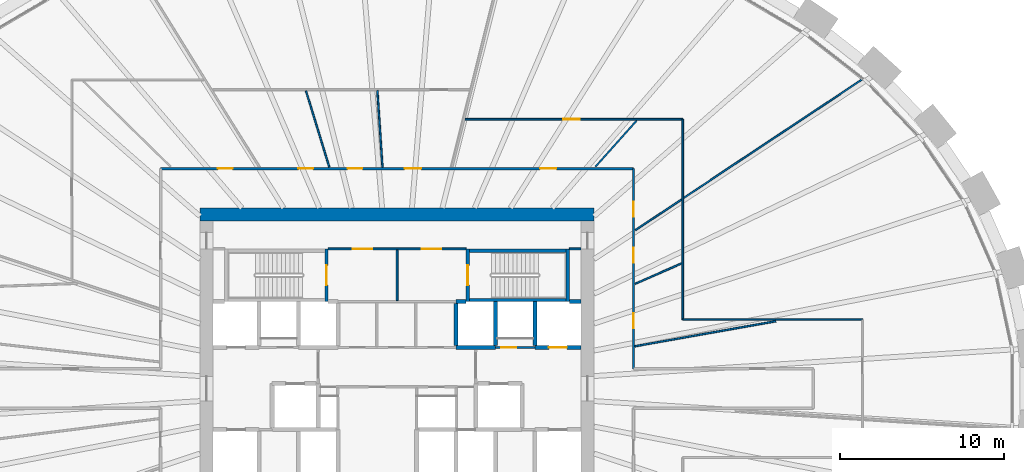
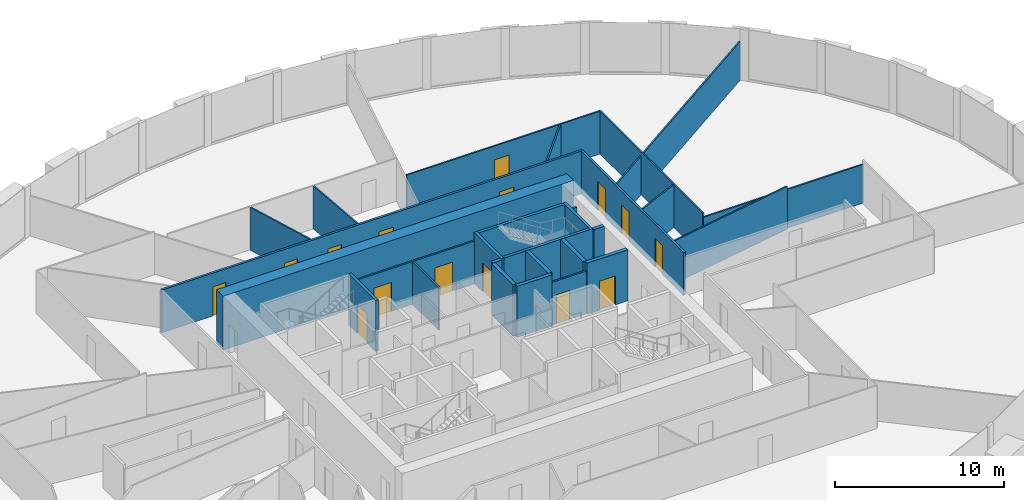
# One storey, part 9 of 11: 28 walls, 15 doors, 15 openings.
"""IFC4 building model written with IfcOpenShell, lengths in metres."""

from ifc_helpers import new_model, si_unit, direction, frame, frame_2d, origin, place, context, subcontext, project, spatial, rectangle, extrude, source, transform, mapped, material, layer, layer_set, type_object, element, fill, save


model = new_model("IFC4")

# Units and contexts
model_context = context("Model", 3, precision=1e-05, world=origin(), true_north=direction((0.0, 1.0)))
body_context = subcontext(model_context, "Body", "Model", "MODEL_VIEW")
ifc_project = project(units=[si_unit("LENGTHUNIT", "METRE"), si_unit("AREAUNIT", "SQUARE_METRE"), si_unit("VOLUMEUNIT", "CUBIC_METRE"), si_unit("PLANEANGLEUNIT", "RADIAN"), si_unit("MASSUNIT", "GRAM", prefix="KILO")], contexts=[model_context])

# Site, building, storey
site_placement = place(None, origin())
site = spatial("IfcSite", under=ifc_project, at=site_placement, CompositionType="ELEMENT")
building_placement = place(site_placement, origin())
building = spatial("IfcBuilding", under=site, at=building_placement, Name="Embergate Tower", CompositionType="ELEMENT")
storey_placement = place(building_placement, frame((0.0, 0.0, 139.800048828125)))
storey = spatial("IfcBuildingStorey", under=building, at=storey_placement, Name="L30", CompositionType="ELEMENT", Elevation=139.800048828125)

# Walls
ifc_material_1 = material(Name="Concrete C70", Category="concrete")
ifc_layer_1 = layer(ifc_material_1, 0.800048828125)
ifc_layer_set_1 = layer_set([ifc_layer_1], Name="Concrete C70")
wall_type_1 = type_object("IfcWallType", Name="Core outer wall C70 800", PredefinedType="SHEAR", material=ifc_layer_set_1)
shared_shape_1 = source(origin(), body_context, "Body", "SweptSolid", [
    extrude(rectangle(XDim=24.0, YDim=0.800048828125, at=frame_2d((12.0, 0.0))), origin(), (0.0, 0.0, 1.0), 3.89990234375),
])
wall_1_placement = place(storey_placement, frame((-12.0, 10.60009765625, -0.199951171875), z_axis=(0.0, 0.0, 1.0), x_axis=(1.0, 0.0, 0.0)))
element("IfcWall", 1, at=wall_1_placement, inside=storey, type_object=wall_type_1, Name="CW-L30-N", PredefinedType="SHEAR", context=body_context, shape_type="MappedRepresentation", body=[
    mapped(shared_shape_1, transform((0.0, 0.0, 0.0))),
])
ifc_material_2 = material(Name="Concrete C50", Category="concrete")
ifc_layer_2 = layer(ifc_material_2, 0.25)
ifc_layer_set_2 = layer_set([ifc_layer_2], Name="Concrete C50")
wall_type_2 = type_object("IfcWallType", Name="Hoistway wall reinforced concrete 250", PredefinedType="SHEAR", material=ifc_layer_set_2)
shared_shape_2 = source(origin(), body_context, "Body", "SweptSolid", [
    extrude(rectangle(XDim=2.675048828125, YDim=0.25, at=frame_2d((1.33740234375, 0.0))), origin(), (0.0, 0.0, 1.0), 3.699951171875),
])
for number, where, z_axis, x_axis, name in (
    (2, (6.0, 2.625, 0.0), (0.0, 0.0, 1.0), (0.0, 1.0, 0.0), "HW-1 wall"),
    (3, (8.39990234375, 2.625, 0.0), (0.0, 0.0, 1.0), (0.0, 1.0, 0.0), "HW-1 wall"),
):
    element("IfcWall", number, at=place(storey_placement, frame(where, z_axis=z_axis, x_axis=x_axis)), inside=storey, type_object=wall_type_2, Name=name, PredefinedType="SHEAR", context=body_context, shape_type="MappedRepresentation", body=[
        mapped(shared_shape_2, transform((0.0, 0.0, 0.0))),
    ])
ifc_layer_3 = layer(ifc_material_2, 0.199951171875)
ifc_layer_set_3 = layer_set([ifc_layer_3], Name="Concrete C50")
wall_type_3 = type_object("IfcWallType", Name="Stair enclosure wall reinforced concrete 250", PredefinedType="SHEAR", material=ifc_layer_set_3)
shared_shape_3 = source(origin(), body_context, "Body", "SweptSolid", [
    extrude(rectangle(XDim=6.300048828125, YDim=0.199951171875, at=frame_2d((3.14990234375, 0.0))), origin(), (0.0, 0.0, 1.0), 3.699951171875),
])
for number, where, z_axis, x_axis, name in (
    (4, (10.5, 5.39990234375, 0.0), (0.0, 0.0, 1.0), (-1.0, 0.0, 0.0), "SE-1 wall"),
    (5, (10.5, 8.39990234375, 0.0), (0.0, 0.0, 1.0), (-1.0, 0.0, 0.0), "SE-1 wall"),
):
    element("IfcWall", number, at=place(storey_placement, frame(where, z_axis=z_axis, x_axis=x_axis)), inside=storey, type_object=wall_type_3, Name=name, PredefinedType="SHEAR", context=body_context, shape_type="MappedRepresentation", body=[
        mapped(shared_shape_3, transform((0.0, 0.0, 0.0))),
    ])
shared_shape_4 = source(origin(), body_context, "Body", "SweptSolid", [
    extrude(rectangle(XDim=2.550048828125, YDim=0.25, at=frame_2d((1.27490234375, 0.0))), origin(), (0.0, 0.0, 1.0), 3.699951171875),
])
wall_2_placement = place(storey_placement, frame((3.60009765625, 5.175048828125, 0.0), z_axis=(0.0, 0.0, 1.0), x_axis=(0.0, -1.0, 0.0)))
element("IfcWall", 6, at=wall_2_placement, inside=storey, type_object=wall_type_2, Name="HW-1 wall", PredefinedType="SHEAR", context=body_context, shape_type="MappedRepresentation", body=[
    mapped(shared_shape_4, transform((0.0, 0.0, 0.0))),
])

# Wall, opening, door
shared_shape_5 = source(origin(), body_context, "Body", "SweptSolid", [
    extrude(rectangle(XDim=3.199951171875, YDim=0.199951171875, at=frame_2d((1.60009765625, 0.0))), origin(), (0.0, 0.0, 1.0), 3.699951171875),
])
wall_3_placement = place(storey_placement, frame((-4.300048828125, 5.300048828125, 0.0), z_axis=(0.0, 0.0, 1.0), x_axis=(0.0, 1.0, 0.0)))
wall_3 = element("IfcWall", 7, at=wall_3_placement, inside=storey, type_object=wall_type_3, Name="SE-1 wall", PredefinedType="SHEAR", context=body_context, shape_type="MappedRepresentation", body=[
    mapped(shared_shape_5, transform((0.0, 0.0, 0.0))),
])
shared_shape_6 = source(origin(), body_context, "Body", "SweptSolid", [
    extrude(rectangle(XDim=1.199951171875, YDim=2.10009765625, at=frame_2d((0.60009765625, 1.050048828125))), frame((0.0, 0.10986328125, 0.0), z_axis=(0.0, -1.0, 0.0), x_axis=(1.0, 0.0, 0.0)), (0.0, 0.0, 1.0), 0.219970703125),
])
opening_1_placement = place(wall_3_placement, frame((1.0, 0.0, 0.0)))
opening_1 = element("IfcOpeningElement", 8, at=opening_1_placement, cuts=wall_3, Name="Opening IF-2", PredefinedType="OPENING", context=body_context, shape_type="MappedRepresentation", body=[
    mapped(shared_shape_6, transform((0.0, 0.0, 0.0))),
])
ifc_material_3 = material(Name="Stair enclosure door 1200")
door_type_1 = type_object("IfcDoorType", Name="Stair enclosure door 1200", OperationType="SINGLE_SWING_LEFT", PredefinedType="DOOR", material=ifc_material_3)
shared_shape_7 = source(origin(), body_context, "Body", "SweptSolid", [
    extrude(rectangle(XDim=1.199951171875, YDim=2.10009765625, at=frame_2d((0.60009765625, 1.050048828125))), frame((0.0, 0.02490234375, 0.0), z_axis=(0.0, -1.0, 0.0), x_axis=(1.0, 0.0, 0.0)), (0.0, 0.0, 1.0), 0.050048828125),
])
door_1_placement = place(opening_1_placement, origin())
door_1 = element("IfcDoor", 9, at=door_1_placement, inside=storey, type_object=door_type_1, Name="IF-2 door", OperationType="SINGLE_SWING_LEFT", OverallHeight=2.10009765625, OverallWidth=1.199951171875, PredefinedType="DOOR", context=body_context, shape_type="MappedRepresentation", body=[
    mapped(shared_shape_7, transform((0.0, 0.0, 0.0))),
])
fill(opening_1, door_1)

wall_4_placement = place(storey_placement, frame((4.300048828125, 8.5, 0.0), z_axis=(0.0, 0.0, 1.0), x_axis=(0.0, -1.0, 0.0)))
wall_4 = element("IfcWall", 10, at=wall_4_placement, inside=storey, type_object=wall_type_3, Name="SE-1 wall", PredefinedType="SHEAR", context=body_context, shape_type="MappedRepresentation", body=[
    mapped(shared_shape_5, transform((0.0, 0.0, 0.0))),
])
opening_2_placement = place(wall_4_placement, frame((1.0, 0.0, 0.0)))
opening_2 = element("IfcOpeningElement", 11, at=opening_2_placement, cuts=wall_4, Name="Opening IF-2", PredefinedType="OPENING", context=body_context, shape_type="MappedRepresentation", body=[
    mapped(shared_shape_6, transform((0.0, 0.0, 0.0))),
])
door_2_placement = place(opening_2_placement, origin())
door_2 = element("IfcDoor", 12, at=door_2_placement, inside=storey, type_object=door_type_1, Name="IF-2 door", OperationType="SINGLE_SWING_LEFT", OverallHeight=2.10009765625, OverallWidth=1.199951171875, PredefinedType="DOOR", context=body_context, shape_type="MappedRepresentation", body=[
    mapped(shared_shape_7, transform((0.0, 0.0, 0.0))),
])
fill(opening_2, door_2)

# Wall
shared_shape_8 = source(origin(), body_context, "Body", "SweptSolid", [
    extrude(rectangle(XDim=2.39990234375, YDim=0.25, at=frame_2d((1.199951171875, 0.0))), origin(), (0.0, 0.0, 1.0), 3.699951171875),
])
wall_5_placement = place(storey_placement, frame((3.60009765625, 2.5, 0.0), z_axis=(0.0, 0.0, 1.0), x_axis=(1.0, 0.0, 0.0)))
element("IfcWall", 13, at=wall_5_placement, inside=storey, type_object=wall_type_2, Name="HW-1 wall", PredefinedType="SHEAR", context=body_context, shape_type="MappedRepresentation", body=[
    mapped(shared_shape_8, transform((0.0, 0.0, 0.0))),
])

# Wall, openings, doors
ifc_material_4 = material(Name="Core partition blockwork 120")
ifc_layer_4 = layer(ifc_material_4, 0.1201171875)
ifc_layer_set_4 = layer_set([ifc_layer_4], Name="Core partition blockwork 120")
wall_type_4 = type_object("IfcWallType", Name="Core partition blockwork 120", PredefinedType="PARTITIONING", material=ifc_layer_set_4)
shared_shape_9 = source(origin(), body_context, "Body", "SweptSolid", [
    extrude(rectangle(XDim=8.39990234375, YDim=0.1201171875, at=frame_2d((4.199951171875, 0.0))), origin(), (0.0, 0.0, 1.0), 3.099853515625),
])
wall_6_placement = place(storey_placement, frame((4.199951171875, 8.5, 0.0), z_axis=(0.0, 0.0, 1.0), x_axis=(-1.0, 0.0, 0.0)))
wall_6 = element("IfcWall", 14, at=wall_6_placement, inside=storey, type_object=wall_type_4, Name="IP-3 wall", PredefinedType="PARTITIONING", context=body_context, shape_type="MappedRepresentation", body=[
    mapped(shared_shape_9, transform((0.0, 0.0, 0.0))),
])
shared_shape_10 = source(origin(), body_context, "Body", "SweptSolid", [
    extrude(rectangle(XDim=1.199951171875, YDim=2.10009765625, at=frame_2d((0.60009765625, 1.050048828125))), frame((0.0, 0.070068359375, 0.0), z_axis=(0.0, -1.0, 0.0), x_axis=(1.0, 0.0, 0.0)), (0.0, 0.0, 1.0), 0.14013671875),
])
opening_3_placement = place(wall_6_placement, frame((5.699951171875, 0.0, 0.0)))
opening_3 = element("IfcOpeningElement", 15, at=opening_3_placement, cuts=wall_6, Name="Opening IF-3f", PredefinedType="OPENING", context=body_context, shape_type="MappedRepresentation", body=[
    mapped(shared_shape_10, transform((0.0, 0.0, 0.0))),
])
opening_4_placement = place(wall_6_placement, frame((1.5, 0.0, 0.0)))
opening_4 = element("IfcOpeningElement", 16, at=opening_4_placement, cuts=wall_6, Name="Opening IF-3f", PredefinedType="OPENING", context=body_context, shape_type="MappedRepresentation", body=[
    mapped(shared_shape_10, transform((0.0, 0.0, 0.0))),
])
ifc_material_5 = material(Name="Lobby fire door pair 1200")
door_type_2 = type_object("IfcDoorType", Name="Lobby fire door pair 1200", OperationType="DOUBLE_DOOR_SINGLE_SWING", PredefinedType="DOOR", material=ifc_material_5)
door_3_placement = place(opening_3_placement, origin())
door_3 = element("IfcDoor", 17, at=door_3_placement, inside=storey, type_object=door_type_2, Name="IF-3 door", OperationType="DOUBLE_DOOR_SINGLE_SWING", OverallHeight=2.10009765625, OverallWidth=1.199951171875, PredefinedType="DOOR", context=body_context, shape_type="MappedRepresentation", body=[
    mapped(shared_shape_7, transform((0.0, 0.0, 0.0))),
])
fill(opening_3, door_3)
door_4_placement = place(opening_4_placement, origin())
door_4 = element("IfcDoor", 18, at=door_4_placement, inside=storey, type_object=door_type_2, Name="IF-3 door", OperationType="DOUBLE_DOOR_SINGLE_SWING", OverallHeight=2.10009765625, OverallWidth=1.199951171875, PredefinedType="DOOR", context=body_context, shape_type="MappedRepresentation", body=[
    mapped(shared_shape_7, transform((0.0, 0.0, 0.0))),
])
fill(opening_4, door_4)

# Wall, opening, door
shared_shape_11 = source(origin(), body_context, "Body", "SweptSolid", [
    extrude(rectangle(XDim=2.800048828125, YDim=0.25, at=frame_2d((1.39990234375, 0.0))), origin(), (0.0, 0.0, 1.0), 3.699951171875),
])
wall_7_placement = place(storey_placement, frame((8.39990234375, 2.5, 0.0), z_axis=(0.0, 0.0, 1.0), x_axis=(1.0, 0.0, 0.0)))
wall_7 = element("IfcWall", 19, at=wall_7_placement, inside=storey, type_object=wall_type_2, Name="HW-1 wall", PredefinedType="SHEAR", context=body_context, shape_type="MappedRepresentation", body=[
    mapped(shared_shape_11, transform((0.0, 0.0, 0.0))),
])
shared_shape_12 = source(origin(), body_context, "Body", "SweptSolid", [
    extrude(rectangle(XDim=1.10009765625, YDim=2.10009765625, at=frame_2d((0.550048828125, 1.050048828125))), frame((0.0, 0.135009765625, 0.0), z_axis=(0.0, -1.0, 0.0), x_axis=(1.0, 0.0, 0.0)), (0.0, 0.0, 1.0), 0.27001953125),
])
opening_5_placement = place(wall_7_placement, frame((0.85009765625, 0.0, 0.0)))
opening_5 = element("IfcOpeningElement", 20, at=opening_5_placement, cuts=wall_7, Name="Opening LD", PredefinedType="OPENING", context=body_context, shape_type="MappedRepresentation", body=[
    mapped(shared_shape_12, transform((0.0, 0.0, 0.0))),
])
ifc_material_6 = material(Name="Landing door sliding 1100")
door_type_3 = type_object("IfcDoorType", Name="Landing door sliding 1100", OperationType="SLIDING_TO_LEFT", PredefinedType="DOOR", material=ifc_material_6)
shared_shape_13 = source(origin(), body_context, "Body", "SweptSolid", [
    extrude(rectangle(XDim=1.10009765625, YDim=2.10009765625, at=frame_2d((0.550048828125, 1.050048828125))), frame((0.0, 0.02490234375, 0.0), z_axis=(0.0, -1.0, 0.0), x_axis=(1.0, 0.0, 0.0)), (0.0, 0.0, 1.0), 0.050048828125),
])
door_5_placement = place(opening_5_placement, origin())
door_5 = element("IfcDoor", 21, at=door_5_placement, inside=storey, type_object=door_type_3, Name="LD door", OperationType="SLIDING_TO_LEFT", OverallHeight=2.10009765625, OverallWidth=1.10009765625, PredefinedType="DOOR", context=body_context, shape_type="MappedRepresentation", body=[
    mapped(shared_shape_13, transform((0.0, 0.0, 0.0))),
])
fill(opening_5, door_5)

# Walls
shared_shape_14 = source(origin(), body_context, "Body", "SweptSolid", [
    extrude(rectangle(XDim=0.599853515625, YDim=0.25, at=frame_2d((0.2998046875, 0.0))), origin(), (0.0, 0.0, 1.0), 3.699951171875),
])
wall_8_placement = place(storey_placement, frame((4.199951171875, 5.300048828125, 0.0), z_axis=(0.0, 0.0, 1.0), x_axis=(-1.0, 0.0, 0.0)))
element("IfcWall", 22, at=wall_8_placement, inside=storey, type_object=wall_type_2, Name="HW-1 wall", PredefinedType="SHEAR", context=body_context, shape_type="MappedRepresentation", body=[
    mapped(shared_shape_14, transform((0.0, 0.0, 0.0))),
])
shared_shape_15 = source(origin(), body_context, "Body", "SweptSolid", [
    extrude(rectangle(XDim=3.196044921875, YDim=0.199951171875, at=frame_2d((1.59814453125, 0.0))), origin(), (0.0, 0.0, 1.0), 3.699951171875),
])
wall_9_placement = place(storey_placement, frame((10.39990234375, 5.302001953125, 0.0), z_axis=(0.0, 0.0, 1.0), x_axis=(0.0, 1.0, 0.0)))
element("IfcWall", 23, at=wall_9_placement, inside=storey, type_object=wall_type_3, Name="SE-1 wall", PredefinedType="SHEAR", context=body_context, shape_type="MappedRepresentation", body=[
    mapped(shared_shape_15, transform((0.0, 0.0, 0.0))),
])
shared_shape_16 = source(origin(), body_context, "Body", "SweptSolid", [
    extrude(rectangle(XDim=0.697998046875, YDim=0.25, at=frame_2d((0.34912109375, 0.0))), origin(), (0.0, 0.0, 1.0), 3.699951171875),
])
wall_10_placement = place(storey_placement, frame((11.199951171875, 5.300048828125, 0.0), z_axis=(0.0, 0.0, 1.0), x_axis=(-1.0, 0.0, 0.0)))
element("IfcWall", 24, at=wall_10_placement, inside=storey, type_object=wall_type_2, Name="HW-1 wall", PredefinedType="SHEAR", context=body_context, shape_type="MappedRepresentation", body=[
    mapped(shared_shape_16, transform((0.0, 0.0, 0.0))),
])

# Wall, openings, doors
ifc_material_7 = material(Name="Corridor wall dry-lined 150 wet")
ifc_layer_5 = layer(ifc_material_7, 0.14990234375)
ifc_layer_set_5 = layer_set([ifc_layer_5], Name="Corridor wall dry-lined 150 wet")
wall_type_5 = type_object("IfcWallType", Name="Corridor wall dry-lined 150 wet", PredefinedType="PLUMBINGWALL", material=ifc_layer_set_5)
shared_shape_17 = source(origin(), body_context, "Body", "SweptSolid", [
    extrude(rectangle(XDim=12.199951171875, YDim=0.14990234375, at=frame_2d((6.10009765625, 0.0))), origin(), (0.0, 0.0, 1.0), 3.099853515625),
])
wall_11_placement = place(storey_placement, frame((14.39990234375, 1.199951171875, 0.0), z_axis=(0.0, 0.0, 1.0), x_axis=(0.0, 1.0, 0.0)))
wall_11 = element("IfcWall", 25, at=wall_11_placement, inside=storey, type_object=wall_type_5, Name="IP-2 wall", PredefinedType="PLUMBINGWALL", context=body_context, shape_type="MappedRepresentation", body=[
    mapped(shared_shape_17, transform((0.0, 0.0, 0.0))),
])
shared_shape_18 = source(origin(), body_context, "Body", "SweptSolid", [
    extrude(rectangle(XDim=0.89990234375, YDim=2.10009765625, at=frame_2d((0.449951171875, 1.050048828125))), frame((0.0, 0.0849609375, 0.0), z_axis=(0.0, -1.0, 0.0), x_axis=(1.0, 0.0, 0.0)), (0.0, 0.0, 1.0), 0.169921875),
])
opening_6_placement = place(wall_11_placement, frame((2.47802734375, 0.0, 0.0)))
opening_6 = element("IfcOpeningElement", 26, at=opening_6_placement, cuts=wall_11, Name="Opening IF-1c", PredefinedType="OPENING", context=body_context, shape_type="MappedRepresentation", body=[
    mapped(shared_shape_18, transform((0.0, 0.0, 0.0))),
])
opening_7_placement = place(wall_11_placement, frame((6.47705078125, 0.0, 0.0)))
opening_7 = element("IfcOpeningElement", 27, at=opening_7_placement, cuts=wall_11, Name="Opening IF-1c", PredefinedType="OPENING", context=body_context, shape_type="MappedRepresentation", body=[
    mapped(shared_shape_18, transform((0.0, 0.0, 0.0))),
])
opening_8_placement = place(wall_11_placement, frame((9.278076171875, 0.0, 0.0)))
opening_8 = element("IfcOpeningElement", 28, at=opening_8_placement, cuts=wall_11, Name="Opening IF-1c", PredefinedType="OPENING", context=body_context, shape_type="MappedRepresentation", body=[
    mapped(shared_shape_18, transform((0.0, 0.0, 0.0))),
])
ifc_material_8 = material(Name="Escape fire door 900")
door_type_4 = type_object("IfcDoorType", Name="Escape fire door 900", OperationType="SINGLE_SWING_LEFT", PredefinedType="DOOR", material=ifc_material_8)
shared_shape_19 = source(origin(), body_context, "Body", "SweptSolid", [
    extrude(rectangle(XDim=0.89990234375, YDim=2.10009765625, at=frame_2d((0.449951171875, 1.050048828125))), frame((0.0, 0.02490234375, 0.0), z_axis=(0.0, -1.0, 0.0), x_axis=(1.0, 0.0, 0.0)), (0.0, 0.0, 1.0), 0.050048828125),
])
door_6_placement = place(opening_6_placement, origin())
door_6 = element("IfcDoor", 29, at=door_6_placement, inside=storey, type_object=door_type_4, Name="IF-1 door", OperationType="SINGLE_SWING_RIGHT", OverallHeight=2.10009765625, OverallWidth=0.89990234375, PredefinedType="DOOR", context=body_context, shape_type="MappedRepresentation", body=[
    mapped(shared_shape_19, transform((0.0, 0.0, 0.0))),
])
fill(opening_6, door_6)
door_7_placement = place(opening_7_placement, origin())
door_7 = element("IfcDoor", 30, at=door_7_placement, inside=storey, type_object=door_type_4, Name="IF-1 door", OperationType="SINGLE_SWING_RIGHT", OverallHeight=2.10009765625, OverallWidth=0.89990234375, PredefinedType="DOOR", context=body_context, shape_type="MappedRepresentation", body=[
    mapped(shared_shape_19, transform((0.0, 0.0, 0.0))),
])
fill(opening_7, door_7)
door_8_placement = place(opening_8_placement, origin())
door_8 = element("IfcDoor", 31, at=door_8_placement, inside=storey, type_object=door_type_4, Name="IF-1 door", OperationType="SINGLE_SWING_LEFT", OverallHeight=2.10009765625, OverallWidth=0.89990234375, PredefinedType="DOOR", context=body_context, shape_type="MappedRepresentation", body=[
    mapped(shared_shape_19, transform((0.0, 0.0, 0.0))),
])
fill(opening_8, door_8)

ifc_material_9 = material(Name="Corridor wall dry-lined 150")
ifc_layer_6 = layer(ifc_material_9, 0.14990234375)
ifc_layer_set_6 = layer_set([ifc_layer_6], Name="Corridor wall dry-lined 150")
wall_type_6 = type_object("IfcWallType", Name="Corridor wall dry-lined 150", PredefinedType="PARTITIONING", material=ifc_layer_set_6)
shared_shape_20 = source(origin(), body_context, "Body", "SweptSolid", [
    extrude(rectangle(XDim=28.7998046875, YDim=0.14990234375, at=frame_2d((14.39990234375, 0.0))), origin(), (0.0, 0.0, 1.0), 3.099853515625),
])
wall_12_placement = place(storey_placement, frame((-14.39990234375, 13.39990234375, 0.0), z_axis=(0.0, 0.0, 1.0), x_axis=(1.0, 0.0, 0.0)))
wall_12 = element("IfcWall", 32, at=wall_12_placement, inside=storey, type_object=wall_type_6, Name="IP-2 wall", PredefinedType="PARTITIONING", context=body_context, shape_type="MappedRepresentation", body=[
    mapped(shared_shape_20, transform((0.0, 0.0, 0.0))),
])
shared_shape_21 = source(origin(), body_context, "Body", "SweptSolid", [
    extrude(rectangle(XDim=1.0, YDim=2.10009765625, at=frame_2d((0.5, 1.050048828125))), frame((0.0, 0.0849609375, 0.0), z_axis=(0.0, -1.0, 0.0), x_axis=(1.0, 0.0, 0.0)), (0.0, 0.0, 1.0), 0.169921875),
])
opening_9_placement = place(wall_12_placement, frame((23.10791015625, 0.0, 0.0)))
opening_9 = element("IfcOpeningElement", 33, at=opening_9_placement, cuts=wall_12, Name="Opening ID-2", PredefinedType="OPENING", context=body_context, shape_type="MappedRepresentation", body=[
    mapped(shared_shape_21, transform((0.0, 0.0, 0.0))),
])
opening_10_placement = place(wall_12_placement, frame((14.862060546875, 0.0, 0.0)))
opening_10 = element("IfcOpeningElement", 34, at=opening_10_placement, cuts=wall_12, Name="Opening ID-2", PredefinedType="OPENING", context=body_context, shape_type="MappedRepresentation", body=[
    mapped(shared_shape_21, transform((0.0, 0.0, 0.0))),
])
opening_11_placement = place(wall_12_placement, frame((11.388916015625, 0.0, 0.0)))
opening_11 = element("IfcOpeningElement", 35, at=opening_11_placement, cuts=wall_12, Name="Opening IF-1c", PredefinedType="OPENING", context=body_context, shape_type="MappedRepresentation", body=[
    mapped(shared_shape_18, transform((0.0, 0.0, 0.0))),
])
opening_12_placement = place(wall_12_placement, frame((8.39111328125, 0.0, 0.0)))
opening_12 = element("IfcOpeningElement", 36, at=opening_12_placement, cuts=wall_12, Name="Opening IF-1c", PredefinedType="OPENING", context=body_context, shape_type="MappedRepresentation", body=[
    mapped(shared_shape_18, transform((0.0, 0.0, 0.0))),
])
opening_13_placement = place(wall_12_placement, frame((3.488037109375, 0.0, 0.0)))
opening_13 = element("IfcOpeningElement", 37, at=opening_13_placement, cuts=wall_12, Name="Opening IF-1c", PredefinedType="OPENING", context=body_context, shape_type="MappedRepresentation", body=[
    mapped(shared_shape_18, transform((0.0, 0.0, 0.0))),
])
door_9_placement = place(opening_11_placement, origin())
door_9 = element("IfcDoor", 38, at=door_9_placement, inside=storey, type_object=door_type_4, Name="IF-1 door", OperationType="SINGLE_SWING_RIGHT", OverallHeight=2.10009765625, OverallWidth=0.89990234375, PredefinedType="DOOR", context=body_context, shape_type="MappedRepresentation", body=[
    mapped(shared_shape_19, transform((0.0, 0.0, 0.0))),
])
fill(opening_11, door_9)
door_10_placement = place(opening_12_placement, origin())
door_10 = element("IfcDoor", 39, at=door_10_placement, inside=storey, type_object=door_type_4, Name="IF-1 door", OperationType="SINGLE_SWING_RIGHT", OverallHeight=2.10009765625, OverallWidth=0.89990234375, PredefinedType="DOOR", context=body_context, shape_type="MappedRepresentation", body=[
    mapped(shared_shape_19, transform((0.0, 0.0, 0.0))),
])
fill(opening_12, door_10)
door_11_placement = place(opening_13_placement, origin())
door_11 = element("IfcDoor", 40, at=door_11_placement, inside=storey, type_object=door_type_4, Name="IF-1 door", OperationType="SINGLE_SWING_LEFT", OverallHeight=2.10009765625, OverallWidth=0.89990234375, PredefinedType="DOOR", context=body_context, shape_type="MappedRepresentation", body=[
    mapped(shared_shape_19, transform((0.0, 0.0, 0.0))),
])
fill(opening_13, door_11)
ifc_material_10 = material(Name="Interior door 1000")
door_type_5 = type_object("IfcDoorType", Name="Interior door 1000", OperationType="SINGLE_SWING_LEFT", PredefinedType="DOOR", material=ifc_material_10)
shared_shape_22 = source(origin(), body_context, "Body", "SweptSolid", [
    extrude(rectangle(XDim=1.0, YDim=2.10009765625, at=frame_2d((0.5, 1.050048828125))), frame((0.0, 0.02490234375, 0.0), z_axis=(0.0, -1.0, 0.0), x_axis=(1.0, 0.0, 0.0)), (0.0, 0.0, 1.0), 0.050048828125),
])
door_12_placement = place(opening_9_placement, origin())
door_12 = element("IfcDoor", 41, at=door_12_placement, inside=storey, type_object=door_type_5, Name="ID-2 door", OperationType="SINGLE_SWING_LEFT", OverallHeight=2.10009765625, OverallWidth=1.0, PredefinedType="DOOR", context=body_context, shape_type="MappedRepresentation", body=[
    mapped(shared_shape_22, transform((0.0, 0.0, 0.0))),
])
fill(opening_9, door_12)
door_13_placement = place(opening_10_placement, origin())
door_13 = element("IfcDoor", 42, at=door_13_placement, inside=storey, type_object=door_type_5, Name="ID-2 door", OperationType="SINGLE_SWING_LEFT", OverallHeight=2.10009765625, OverallWidth=1.0, PredefinedType="DOOR", context=body_context, shape_type="MappedRepresentation", body=[
    mapped(shared_shape_22, transform((0.0, 0.0, 0.0))),
])
fill(opening_10, door_13)

# Walls
ifc_material_11 = material(Name="Partition dry-lined 100 wet")
ifc_layer_7 = layer(ifc_material_11, 0.10009765625)
ifc_layer_set_7 = layer_set([ifc_layer_7], Name="Partition dry-lined 100 wet")
wall_type_7 = type_object("IfcWallType", Name="Partition dry-lined 100 wet", PredefinedType="PLUMBINGWALL", material=ifc_layer_set_7)
shared_shape_23 = source(origin(), body_context, "Body", "SweptSolid", [
    extrude(rectangle(XDim=12.199951171875, YDim=0.10009765625, at=frame_2d((6.10009765625, 0.0))), origin(), (0.0, 0.0, 1.0), 3.099853515625),
])
wall_13_placement = place(storey_placement, frame((17.39990234375, 16.39990234375, 0.0), z_axis=(0.0, 0.0, 1.0), x_axis=(0.0, -1.0, 0.0)))
element("IfcWall", 43, at=wall_13_placement, inside=storey, type_object=wall_type_7, Name="IP-1 wall", PredefinedType="PLUMBINGWALL", context=body_context, shape_type="MappedRepresentation", body=[
    mapped(shared_shape_23, transform((0.0, 0.0, 0.0))),
])
shared_shape_24 = source(origin(), body_context, "Body", "SweptSolid", [
    extrude(rectangle(XDim=10.9501953125, YDim=0.10009765625, at=frame_2d((5.47509765625, 0.0))), origin(), (0.0, 0.0, 1.0), 2.800048828125),
])
wall_14_placement = place(storey_placement, frame((17.39990234375, 4.199951171875, 0.0), z_axis=(0.0, 0.0, 1.0), x_axis=(1.0, 0.0, 0.0)))
element("IfcWall", 44, at=wall_14_placement, inside=storey, type_object=wall_type_7, Name="IP-1 wall", PredefinedType="PLUMBINGWALL", context=body_context, shape_type="MappedRepresentation", body=[
    mapped(shared_shape_24, transform((0.0, 0.0, 0.0))),
])
shared_shape_25 = source(origin(), body_context, "Body", "SweptSolid", [
    extrude(rectangle(XDim=8.7197265625, YDim=0.10009765625, at=frame_2d((4.35986328125, 0.0))), origin(), (0.0, 0.0, 1.0), 3.099853515625),
])
wall_15_placement = place(storey_placement, frame((23.069091796875, 4.10107421875, 0.0), z_axis=(0.0, 0.0, 1.0), x_axis=(-0.98456518823, -0.175018256551, 0.0)))
element("IfcWall", 45, at=wall_15_placement, inside=storey, type_object=wall_type_7, Name="IP-1 wall", PredefinedType="PLUMBINGWALL", context=body_context, shape_type="MappedRepresentation", body=[
    mapped(shared_shape_25, transform((0.0, 0.0, 0.0))),
])
shared_shape_26 = source(origin(), body_context, "Body", "SweptSolid", [
    extrude(rectangle(XDim=3.0966796875, YDim=0.10009765625, at=frame_2d((1.54833984375, 0.0))), origin(), (0.0, 0.0, 1.0), 3.099853515625),
])
wall_16_placement = place(storey_placement, frame((14.4951171875, 6.3759765625, 0.0), z_axis=(0.0, 0.0, 1.0), x_axis=(0.915468415007, 0.402389837254, 0.0)))
element("IfcWall", 46, at=wall_16_placement, inside=storey, type_object=wall_type_7, Name="IP-1 wall", PredefinedType="PLUMBINGWALL", context=body_context, shape_type="MappedRepresentation", body=[
    mapped(shared_shape_26, transform((0.0, 0.0, 0.0))),
])
shared_shape_27 = source(origin(), body_context, "Body", "SweptSolid", [
    extrude(rectangle(XDim=16.65625, YDim=0.10009765625, at=frame_2d((8.328125, 0.0))), origin(), (0.0, 0.0, 1.0), 2.800048828125),
])
wall_17_placement = place(storey_placement, frame((14.5029296875, 9.64111328125, 0.0), z_axis=(0.0, 0.0, 1.0), x_axis=(0.832782444817, 0.553600397041, 0.0)))
element("IfcWall", 47, at=wall_17_placement, inside=storey, type_object=wall_type_7, Name="IP-1 wall", PredefinedType="PLUMBINGWALL", context=body_context, shape_type="MappedRepresentation", body=[
    mapped(shared_shape_27, transform((0.0, 0.0, 0.0))),
])
ifc_material_12 = material(Name="Partition dry-lined 100")
ifc_layer_8 = layer(ifc_material_12, 0.10009765625)
ifc_layer_set_8 = layer_set([ifc_layer_8], Name="Partition dry-lined 100")
wall_type_8 = type_object("IfcWallType", Name="Partition dry-lined 100", PredefinedType="PARTITIONING", material=ifc_layer_set_8)
shared_shape_28 = source(origin(), body_context, "Body", "SweptSolid", [
    extrude(rectangle(XDim=3.767578125, YDim=0.10009765625, at=frame_2d((1.8837890625, 0.0))), origin(), (0.0, 0.0, 1.0), 3.099853515625),
])
wall_18_placement = place(storey_placement, frame((14.591064453125, 16.31689453125, 0.0), z_axis=(0.0, 0.0, 1.0), x_axis=(-0.666472788757, -0.745529356797, 0.0)))
element("IfcWall", 48, at=wall_18_placement, inside=storey, type_object=wall_type_8, Name="IP-1 wall", PredefinedType="PARTITIONING", context=body_context, shape_type="MappedRepresentation", body=[
    mapped(shared_shape_28, transform((0.0, 0.0, 0.0))),
])

# Wall, opening, door
shared_shape_29 = source(origin(), body_context, "Body", "SweptSolid", [
    extrude(rectangle(XDim=13.260986328125, YDim=0.10009765625, at=frame_2d((6.63037109375, 0.0))), origin(), (0.0, 0.0, 1.0), 3.099853515625),
])
wall_19_placement = place(storey_placement, frame((4.138916015625, 16.39990234375, 0.0), z_axis=(0.0, 0.0, 1.0), x_axis=(1.0, 0.0, 0.0)))
wall_19 = element("IfcWall", 49, at=wall_19_placement, inside=storey, type_object=wall_type_8, Name="IP-1 wall", PredefinedType="PARTITIONING", context=body_context, shape_type="MappedRepresentation", body=[
    mapped(shared_shape_29, transform((0.0, 0.0, 0.0))),
])
shared_shape_30 = source(origin(), body_context, "Body", "SweptSolid", [
    extrude(rectangle(XDim=1.0, YDim=2.10009765625, at=frame_2d((0.5, 1.050048828125))), frame((0.0, 0.06005859375, 0.0), z_axis=(0.0, -1.0, 0.0), x_axis=(1.0, 0.0, 0.0)), (0.0, 0.0, 1.0), 0.1201171875),
])
opening_14_placement = place(wall_19_placement, frame((5.990478515625, 0.0, 0.0)))
opening_14 = element("IfcOpeningElement", 50, at=opening_14_placement, cuts=wall_19, Name="Opening ID-2", PredefinedType="OPENING", context=body_context, shape_type="MappedRepresentation", body=[
    mapped(shared_shape_30, transform((0.0, 0.0, 0.0))),
])
door_14_placement = place(opening_14_placement, origin())
door_14 = element("IfcDoor", 51, at=door_14_placement, inside=storey, type_object=door_type_5, Name="ID-2 door", OperationType="SINGLE_SWING_LEFT", OverallHeight=2.10009765625, OverallWidth=1.0, PredefinedType="DOOR", context=body_context, shape_type="MappedRepresentation", body=[
    mapped(shared_shape_22, transform((0.0, 0.0, 0.0))),
])
fill(opening_14, door_14)

# Walls
shared_shape_31 = source(origin(), body_context, "Body", "SweptSolid", [
    extrude(rectangle(XDim=4.68505859375, YDim=0.10009765625, at=frame_2d((2.342529296875, 0.0))), origin(), (0.0, 0.0, 1.0), 3.099853515625),
])
wall_20_placement = place(storey_placement, frame((-0.887939453125, 13.47509765625, 0.0), z_axis=(0.0, 0.0, 1.0), x_axis=(-0.06597252678, 0.997821439793, 0.0)))
element("IfcWall", 52, at=wall_20_placement, inside=storey, type_object=wall_type_8, Name="IP-1 wall", PredefinedType="PARTITIONING", context=body_context, shape_type="MappedRepresentation", body=[
    mapped(shared_shape_31, transform((0.0, 0.0, 0.0))),
])
shared_shape_32 = source(origin(), body_context, "Body", "SweptSolid", [
    extrude(rectangle(XDim=4.857666015625, YDim=0.10009765625, at=frame_2d((2.4287109375, 0.0))), origin(), (0.0, 0.0, 1.0), 3.099853515625),
])
wall_21_placement = place(storey_placement, frame((-4.1279296875, 13.489990234375, 0.0), z_axis=(0.0, 0.0, 1.0), x_axis=(-0.292563278006, 0.956246165149, 0.0)))
element("IfcWall", 53, at=wall_21_placement, inside=storey, type_object=wall_type_8, Name="IP-1 wall", PredefinedType="PARTITIONING", context=body_context, shape_type="MappedRepresentation", body=[
    mapped(shared_shape_32, transform((0.0, 0.0, 0.0))),
])

# Wall, opening, door
shared_shape_33 = source(origin(), body_context, "Body", "SweptSolid", [
    extrude(rectangle(XDim=2.39990234375, YDim=0.1201171875, at=frame_2d((1.199951171875, 0.0))), origin(), (0.0, 0.0, 1.0), 3.099853515625),
])
wall_22_placement = place(storey_placement, frame((6.0, 2.5, 0.0), z_axis=(0.0, 0.0, 1.0), x_axis=(1.0, 0.0, 0.0)))
wall_22 = element("IfcWall", 54, at=wall_22_placement, inside=storey, type_object=wall_type_4, Name="IP-3 wall", PredefinedType="PARTITIONING", context=body_context, shape_type="MappedRepresentation", body=[
    mapped(shared_shape_33, transform((0.0, 0.0, 0.0))),
])
shared_shape_34 = source(origin(), body_context, "Body", "SweptSolid", [
    extrude(rectangle(XDim=0.89990234375, YDim=2.10009765625, at=frame_2d((0.449951171875, 1.050048828125))), frame((0.0, 0.070068359375, 0.0), z_axis=(0.0, -1.0, 0.0), x_axis=(1.0, 0.0, 0.0)), (0.0, 0.0, 1.0), 0.14013671875),
])
opening_15_placement = place(wall_22_placement, frame((0.35009765625, 0.0, 0.0)))
opening_15 = element("IfcOpeningElement", 55, at=opening_15_placement, cuts=wall_22, Name="Opening ID-1", PredefinedType="OPENING", context=body_context, shape_type="MappedRepresentation", body=[
    mapped(shared_shape_34, transform((0.0, 0.0, 0.0))),
])
ifc_material_13 = material(Name="Interior door 900")
door_type_6 = type_object("IfcDoorType", Name="Interior door 900", OperationType="SINGLE_SWING_LEFT", PredefinedType="DOOR", material=ifc_material_13)
door_15_placement = place(opening_15_placement, origin())
door_15 = element("IfcDoor", 56, at=door_15_placement, inside=storey, type_object=door_type_6, Name="ID-1 door", OperationType="SINGLE_SWING_RIGHT", OverallHeight=2.10009765625, OverallWidth=0.89990234375, PredefinedType="DOOR", context=body_context, shape_type="MappedRepresentation", body=[
    mapped(shared_shape_19, transform((0.0, 0.0, 0.0))),
])
fill(opening_15, door_15)

# Walls
shared_shape_35 = source(origin(), body_context, "Body", "SweptSolid", [
    extrude(rectangle(XDim=3.079833984375, YDim=0.1201171875, at=frame_2d((1.5400390625, 0.0))), origin(), (0.0, 0.0, 1.0), 3.099853515625),
])
wall_23_placement = place(storey_placement, frame((0.0, 5.360107421875, 0.0), z_axis=(0.0, 0.0, 1.0), x_axis=(0.0, 1.0, 0.0)))
element("IfcWall", 57, at=wall_23_placement, inside=storey, type_object=wall_type_4, Name="IP-3 wall", PredefinedType="PARTITIONING", context=body_context, shape_type="MappedRepresentation", body=[
    mapped(shared_shape_35, transform((0.0, 0.0, 0.0))),
])
shared_shape_36 = source(origin(), body_context, "Body", "SweptSolid", [
    extrude(rectangle(XDim=0.697998046875, YDim=0.1201171875, at=frame_2d((0.34912109375, 0.0))), origin(), (0.0, 0.0, 1.0), 3.099853515625),
])
wall_24_placement = place(storey_placement, frame((10.501953125, 8.5, 0.0), z_axis=(0.0, 0.0, 1.0), x_axis=(1.0, 0.0, 0.0)))
element("IfcWall", 58, at=wall_24_placement, inside=storey, type_object=wall_type_4, Name="IP-3 wall", PredefinedType="PARTITIONING", context=body_context, shape_type="MappedRepresentation", body=[
    mapped(shared_shape_36, transform((0.0, 0.0, 0.0))),
])

save(model, "model.ifc")
